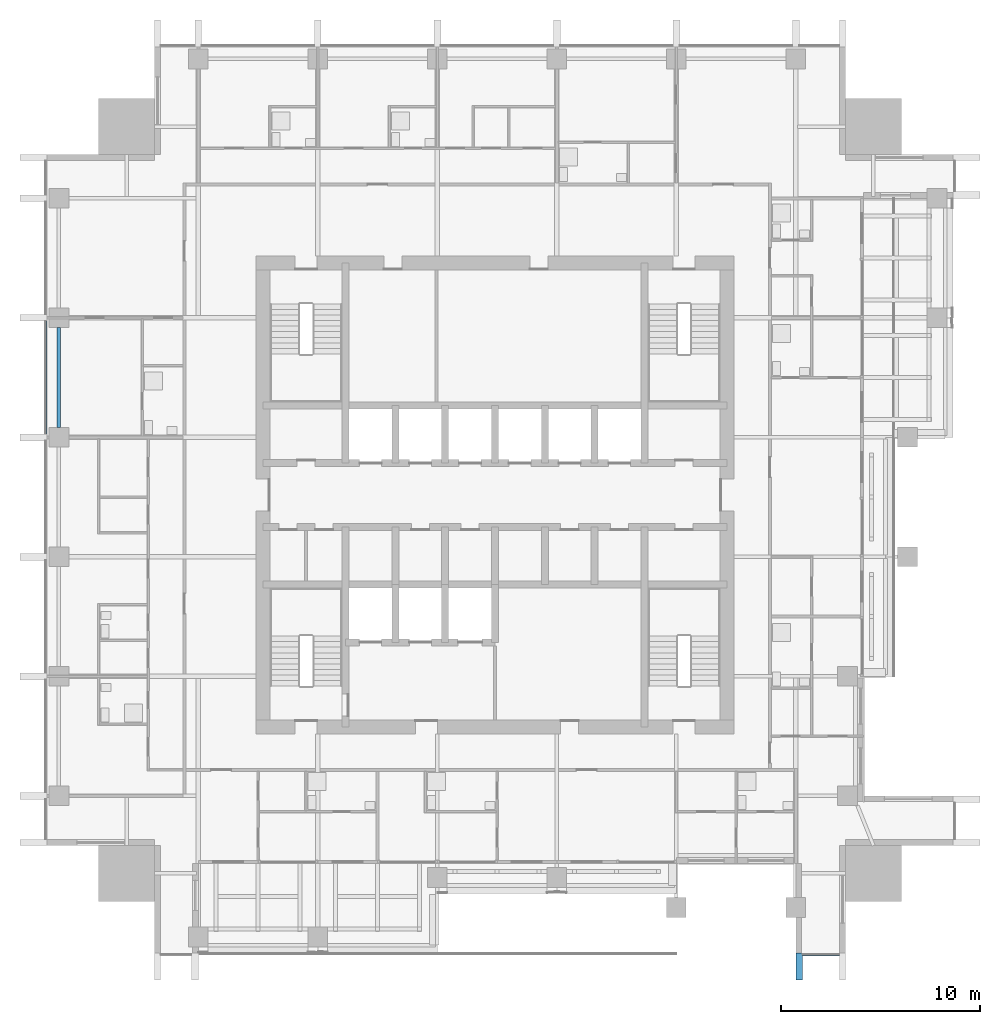
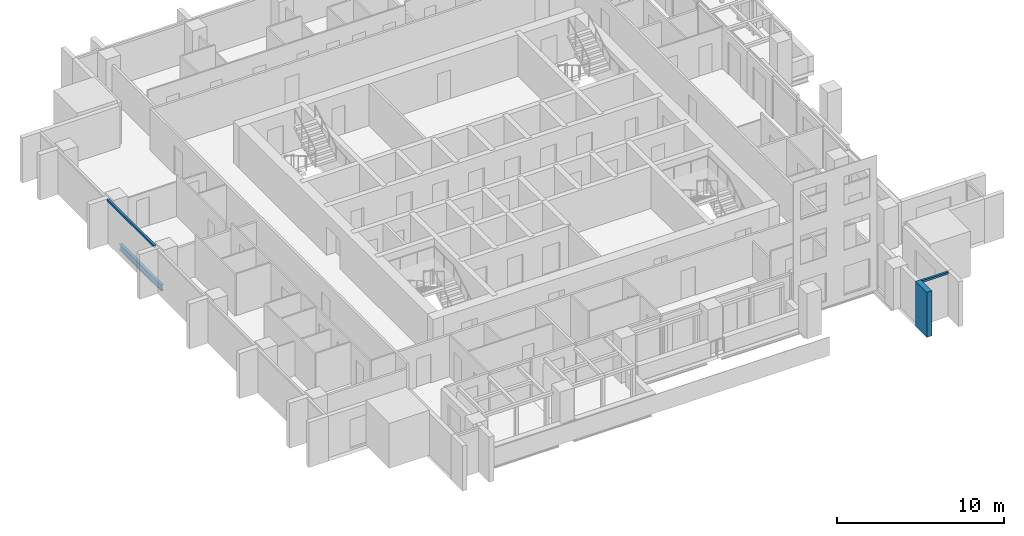
# One storey, part 3 of 16: 3 members, 1 beam, 2 elements without a shape of their own.
"""IFC4 building model written with IfcOpenShell, lengths in metres."""

from ifc_helpers import new_model, si_unit, direction, frame, origin, origin_2d, place, context, subcontext, project, spatial, rectangle, i_section, extrude, material, material_profile, profile_set, type_object, element, aggregate, save


model = new_model("IFC4")

# Units and contexts
model_context = context("Model", 3, precision=1e-05, world=origin(), true_north=direction((0.0, 1.0)))
body_context = subcontext(model_context, "Body", "Model", "MODEL_VIEW")
ifc_project = project(units=[si_unit("LENGTHUNIT", "METRE"), si_unit("AREAUNIT", "SQUARE_METRE"), si_unit("VOLUMEUNIT", "CUBIC_METRE"), si_unit("PLANEANGLEUNIT", "RADIAN"), si_unit("MASSUNIT", "GRAM", prefix="KILO")], contexts=[model_context])

# Site, building, storey
site_placement = place(None, origin())
site = spatial("IfcSite", under=ifc_project, at=site_placement, CompositionType="ELEMENT")
building_placement = place(site_placement, origin())
building = spatial("IfcBuilding", under=site, at=building_placement, Name="Amberfall Residences", CompositionType="ELEMENT")
storey_placement = place(building_placement, frame((0.0, 0.0, 164.800048828125)))
storey = spatial("IfcBuildingStorey", under=building, at=storey_placement, Name="L44", CompositionType="ELEMENT", Elevation=164.800048828125)

# Curtain wall, member
ifc_material_1 = material(Name="Bronze anodised aluminium and glass", Category="aluminium")
curtain_wall_type = type_object("IfcCurtainWallType", Name="Curtain wall CW1 tower unit", PredefinedType="USERDEFINED", material=ifc_material_1)
curtain_wall_1_placement = place(storey_placement, origin())
curtain_wall_1 = element("IfcCurtainWall", 1, at=curtain_wall_1_placement, inside=storey, type_object=curtain_wall_type, Name="Curtain wall L44 S S9", ObjectType="UNITISED CURTAIN WALL", PredefinedType="USERDEFINED")
ifc_material_2 = material(Name="Bronze anodised aluminium", Category="aluminium")
ifc_material_profile_1 = material_profile(ifc_material_2, rectangle(XDim=0.14990234375, YDim=0.14990234375, at=origin_2d()), Name="CW1 transom 150 x 150 bronze")
ifc_profile_set_1 = profile_set([ifc_material_profile_1], Name="Bronze anodised aluminium")
member_type_1 = type_object("IfcMemberType", Name="CW1 transom 150 x 150 bronze", PredefinedType="USERDEFINED", material=ifc_profile_set_1)
member_1_placement = place(storey_placement, frame((89.949951171875, 22.425048828125, 2.974853515625), z_axis=(1.0, 0.0, 0.0), x_axis=(0.0, 1.0, 0.0)))
member_1 = element("IfcMember", 2, at=member_1_placement, type_object=member_type_1, Name="CW1 transom 1.1", ObjectType="TRANSOM", PredefinedType="USERDEFINED", context=body_context, shape_type="SweptSolid", body=[
    extrude(rectangle(XDim=0.14990234375, YDim=0.14990234375, at=origin_2d()), origin(), (0.0, 0.0, 1.0), 1.85009765625),
])

curtain_wall_2_placement = place(storey_placement, origin())
curtain_wall_2 = element("IfcCurtainWall", 3, at=curtain_wall_2_placement, inside=storey, type_object=curtain_wall_type, Name="Curtain wall L44 W W1", ObjectType="UNITISED CURTAIN WALL", PredefinedType="USERDEFINED")
member_2_placement = place(storey_placement, frame((51.925048828125, 54.22509765625, 2.974853515625), z_axis=(0.0, -1.0, 0.0), x_axis=(1.0, 0.0, 0.0)))
member_2 = element("IfcMember", 4, at=member_2_placement, type_object=member_type_1, Name="CW1 transom 3.1", ObjectType="TRANSOM", PredefinedType="USERDEFINED", context=body_context, shape_type="SweptSolid", body=[
    extrude(rectangle(XDim=0.14990234375, YDim=0.14990234375, at=origin_2d()), origin(), (0.0, 0.0, 1.0), 5.650146484375),
])
aggregate(curtain_wall_2, [member_2])

# Beam
ifc_material_3 = material(Name="Steel S355", Category="steel")
ifc_material_profile_2 = material_profile(ifc_material_3, i_section(OverallWidth=0.18994140625, OverallDepth=0.453369140625, WebThickness=0.008544921875, FlangeThickness=0.0126953125, FilletRadius=0.01025390625, at=origin_2d()), Name="UB 457x191x67")
ifc_profile_set_2 = profile_set([ifc_material_profile_2], Name="Steel S355")
beam_type = type_object("IfcBeamType", Name="Edge beam UB 457x191x67", PredefinedType="SPANDREL", material=ifc_profile_set_2)
beam_placement = place(storey_placement, frame((52.60009765625, 48.89990234375, -0.476806640625), z_axis=(0.0, 1.0, 0.0), x_axis=(-1.0, 0.0, 0.0)))
element("IfcBeam", 5, at=beam_placement, inside=storey, type_object=beam_type, Name="Edge beam B1 L44 40", PredefinedType="SPANDREL", context=body_context, shape_type="SweptSolid", body=[
    extrude(i_section(OverallWidth=0.18994140625, OverallDepth=0.453369140625, WebThickness=0.008544921875, FlangeThickness=0.0126953125, FilletRadius=0.01025390625, at=origin_2d()), origin(), (0.0, 0.0, 1.0), 5.0),
])

# Member
ifc_material_profile_3 = material_profile(ifc_material_2, rectangle(XDim=1.35009765625, YDim=0.35009765625, at=origin_2d()), Name="Fin 350 x 1350 bronze")
ifc_profile_set_3 = profile_set([ifc_material_profile_3], Name="Bronze anodised aluminium")
member_type_2 = type_object("IfcMemberType", Name="Fin 350 x 1350 bronze", PredefinedType="MULLION", material=ifc_profile_set_3)
member_3_placement = place(storey_placement, frame((89.77490234375, 21.824951171875, -0.25), z_axis=(0.0, 0.0, 1.0), x_axis=(0.0, 1.0, 0.0)))
member_3 = element("IfcMember", 6, at=member_3_placement, type_object=member_type_2, Name="CW FIN 1", PredefinedType="MULLION", context=body_context, shape_type="SweptSolid", body=[
    extrude(rectangle(XDim=1.35009765625, YDim=0.35009765625, at=origin_2d()), origin(), (0.0, 0.0, 1.0), 3.300048828125),
])

aggregate(curtain_wall_1, [member_3, member_1])

save(model, "model.ifc")
